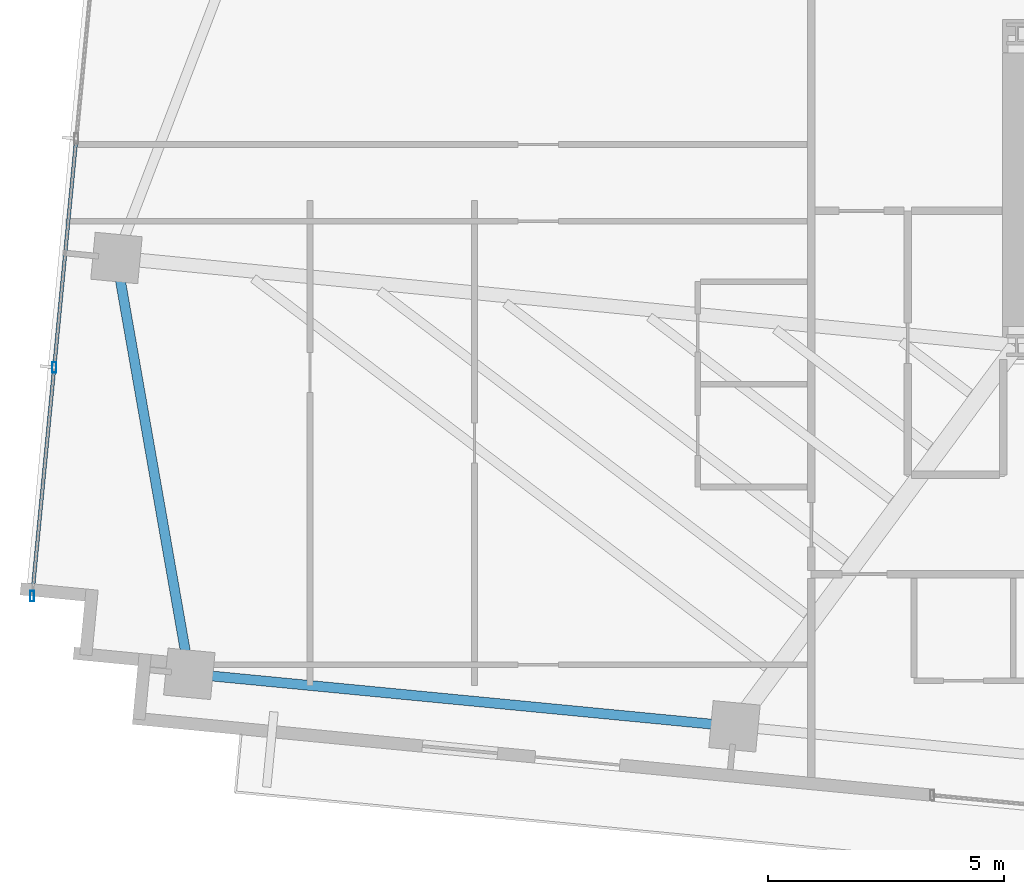
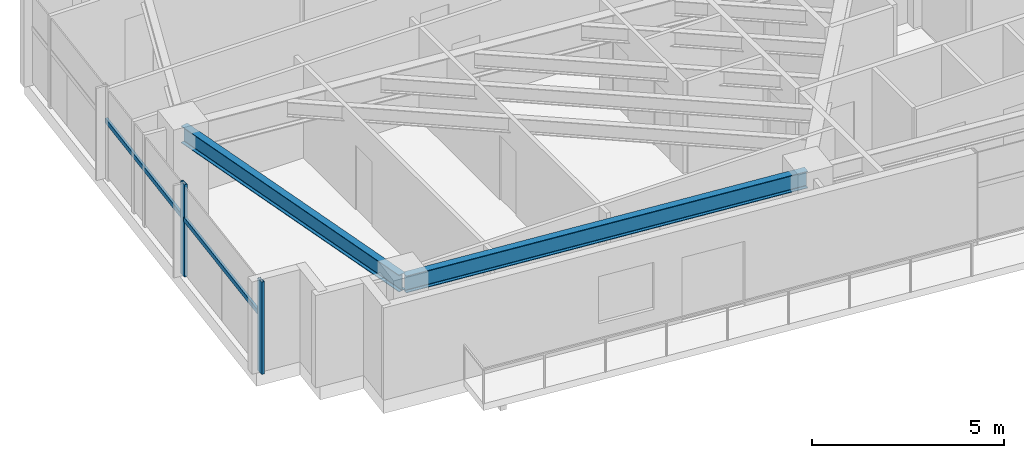
# One storey, part 2 of 19: 4 members, 2 beams, 1 element without a shape of its own.
"""IFC4 building model written with IfcOpenShell, lengths in metres."""

from ifc_helpers import new_model, si_unit, direction, frame, origin, origin_2d, place, context, subcontext, project, spatial, hollow_rectangle, i_section, extrude, source, transform, mapped, material, material_profile, profile_set, type_object, type_shapes, element, aggregate, save


model = new_model("IFC4")

# Units and contexts
model_context = context("Model", 3, precision=1e-05, world=origin(), true_north=direction((0.0, 1.0)))
body_context = subcontext(model_context, "Body", "Model", "MODEL_VIEW")
ifc_project = project(units=[si_unit("LENGTHUNIT", "METRE"), si_unit("AREAUNIT", "SQUARE_METRE"), si_unit("VOLUMEUNIT", "CUBIC_METRE"), si_unit("PLANEANGLEUNIT", "RADIAN"), si_unit("MASSUNIT", "GRAM", prefix="KILO")], contexts=[model_context])

# Site, building, storey
site_placement = place(None, origin())
site = spatial("IfcSite", under=ifc_project, at=site_placement, CompositionType="ELEMENT")
building_placement = place(site_placement, origin())
building = spatial("IfcBuilding", under=site, at=building_placement, Name="Astriad Promenade Condominiums", CompositionType="ELEMENT")
storey_placement = place(building_placement, frame((0.0, 0.0, 124.60009765625)))
storey = spatial("IfcBuildingStorey", under=building, at=storey_placement, Name="L35", CompositionType="ELEMENT", Elevation=124.60009765625)

# Beams
ifc_material_1 = material(Name="Steel ASTM A992 Grade 50", Category="steel")
ifc_material_profile_1 = material_profile(ifc_material_1, i_section(OverallWidth=0.210693359375, OverallDepth=0.53955078125, WebThickness=0.01171875, FlangeThickness=0.018798828125, FilletRadius=0.0166015625, at=origin_2d()), Name="W21X73")
ifc_profile_set_1 = profile_set([ifc_material_profile_1], Name="Steel ASTM A992 Grade 50")
beam_type = type_object("IfcBeamType", Name="STEEL SPANDREL BEAM W21X73", PredefinedType="SPANDREL", material=ifc_profile_set_1)
shared_shape_1 = source(origin(), body_context, "Body", "SweptSolid", [
    extrude(i_section(OverallWidth=0.210693359375, OverallDepth=0.53955078125, WebThickness=0.01171875, FlangeThickness=0.018798828125, FilletRadius=0.0166015625, at=origin_2d()), origin(), (0.0, 0.0, 1.0), 11.52001953125),
])
beam_1_placement = place(storey_placement, frame((8.92041015625, 10.439453125, 2.670166015625), z_axis=(0.9953953902, -0.095854145285, 0.0), x_axis=(0.095854145285, 0.9953953902, 0.0)))
element("IfcBeam", 1, at=beam_1_placement, inside=storey, type_object=beam_type, Name="Perimeter Spandrel Beam SP-S1-L35", PredefinedType="SPANDREL", context=body_context, shape_type="MappedRepresentation", body=[
    mapped(shared_shape_1, transform((0.0, 0.0, 0.0), scale=1.0)),
])
shared_shape_2 = source(origin(), body_context, "Body", "SweptSolid", [
    extrude(i_section(OverallWidth=0.210693359375, OverallDepth=0.53955078125, WebThickness=0.01171875, FlangeThickness=0.018798828125, FilletRadius=0.0166015625, at=origin_2d()), origin(), (0.0, 0.0, 1.0), 8.862548828125),
])
type_shapes(beam_type, [shared_shape_1, shared_shape_2])
beam_2_placement = place(storey_placement, frame((7.3447265625, 19.21240234375, 2.670166015625), z_axis=(0.172528005434, -0.985004612853, 0.0), x_axis=(0.985004612853, 0.172528005434, 0.0)))
element("IfcBeam", 2, at=beam_2_placement, inside=storey, type_object=beam_type, Name="Perimeter Spandrel Beam SP-W1-L35", PredefinedType="SPANDREL", context=body_context, shape_type="MappedRepresentation", body=[
    mapped(shared_shape_2, transform((0.0, 0.0, 0.0), scale=1.0)),
])

# Curtain wall, members
ifc_material_2 = material(Name="Anodised aluminium Black Dark Glass Unitised", Category="aluminium")
curtain_wall_type = type_object("IfcCurtainWallType", Name="CW-B34-DARK", PredefinedType="USERDEFINED", material=ifc_material_2)
curtain_wall_placement = place(storey_placement, origin())
curtain_wall = element("IfcCurtainWall", 3, at=curtain_wall_placement, inside=storey, type_object=curtain_wall_type, Name="CW-L35-W", ObjectType="UNITISED_CURTAIN_WALL", PredefinedType="USERDEFINED")
ifc_material_3 = material(Name="Anodised aluminium 6063-T6 Black", Category="aluminium")
ifc_material_profile_2 = material_profile(ifc_material_3, hollow_rectangle(XDim=0.0849609375, YDim=0.219970703125, WallThickness=0.0048828125, at=origin_2d()), Name="ALU-MUL-85X220")
ifc_profile_set_2 = profile_set([ifc_material_profile_2], Name="Anodised aluminium 6063-T6 Black")
member_type_1 = type_object("IfcMemberType", Name="MUL-ALU-MUL-85X220", PredefinedType="MULLION", material=ifc_profile_set_2)
shared_shape_3 = source(origin(), body_context, "Body", "SweptSolid", [
    extrude(hollow_rectangle(XDim=0.0849609375, YDim=0.219970703125, WallThickness=0.0048828125, at=origin_2d()), origin(), (0.0, 0.0, 1.0), 2.93994140625),
])
type_shapes(member_type_1, [shared_shape_3])
member_1_placement = place(storey_placement, frame((5.552978515625, 12.08984375, 0.0), z_axis=(0.0, 0.0, 1.0), x_axis=(1.0, 0.0, 0.0)))
member_1 = element("IfcMember", 4, at=member_1_placement, type_object=member_type_1, Name="CW-L35-W-MUL-00", PredefinedType="MULLION", context=body_context, shape_type="MappedRepresentation", body=[
    mapped(shared_shape_3, transform((0.0, 0.0, 0.0), scale=1.0)),
])
member_2_placement = place(storey_placement, frame((6.01953125, 16.93408203125, 0.0), z_axis=(0.0, 0.0, 1.0), x_axis=(1.0, 0.0, 0.0)))
member_2 = element("IfcMember", 5, at=member_2_placement, type_object=member_type_1, Name="CW-L35-W-MUL-01", PredefinedType="MULLION", context=body_context, shape_type="MappedRepresentation", body=[
    mapped(shared_shape_3, transform((0.0, 0.0, 0.0), scale=1.0)),
])
ifc_material_profile_3 = material_profile(ifc_material_3, hollow_rectangle(XDim=0.074951171875, YDim=0.14990234375, WallThickness=0.004150390625, at=origin_2d()), Name="ALU-TRN-75X150")
ifc_profile_set_3 = profile_set([ifc_material_profile_3], Name="Anodised aluminium 6063-T6 Black")
member_type_2 = type_object("IfcMemberType", Name="TRN-ALU-TRN-75X150", PredefinedType="USERDEFINED", material=ifc_profile_set_3)
shared_shape_4 = source(origin(), body_context, "Body", "SweptSolid", [
    extrude(hollow_rectangle(XDim=0.074951171875, YDim=0.14990234375, WallThickness=0.004150390625, at=origin_2d()), origin(), (0.0, 0.0, 1.0), 4.86669921875),
])
type_shapes(member_type_2, [shared_shape_4])
member_3_placement = place(storey_placement, frame((5.552978515625, 12.08984375, 1.82275390625), z_axis=(0.095867260207, 0.995394127178, 0.0), x_axis=(-0.995394127178, 0.095867260207, 0.0)))
member_3 = element("IfcMember", 6, at=member_3_placement, type_object=member_type_2, Name="CW-L35-W-TRN-00-0", ObjectType="TRANSOM", PredefinedType="USERDEFINED", context=body_context, shape_type="MappedRepresentation", body=[
    mapped(shared_shape_4, transform((0.0, 0.0, 0.0), scale=1.0)),
])
member_4_placement = place(storey_placement, frame((6.01953125, 16.93408203125, 1.82275390625), z_axis=(0.095867260207, 0.995394127178, 0.0), x_axis=(-0.995394127178, 0.095867260207, 0.0)))
member_4 = element("IfcMember", 7, at=member_4_placement, type_object=member_type_2, Name="CW-L35-W-TRN-01-0", ObjectType="TRANSOM", PredefinedType="USERDEFINED", context=body_context, shape_type="MappedRepresentation", body=[
    mapped(shared_shape_4, transform((0.0, 0.0, 0.0), scale=1.0)),
])
aggregate(curtain_wall, [member_1, member_2, member_3, member_4])

save(model, "model.ifc")
